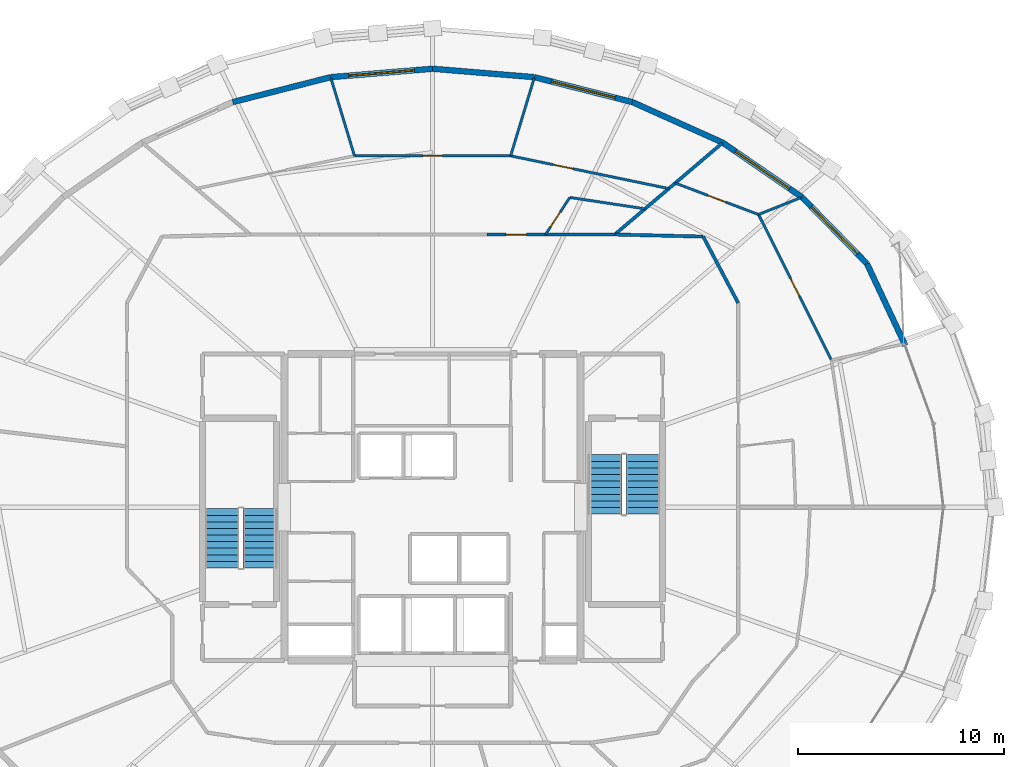
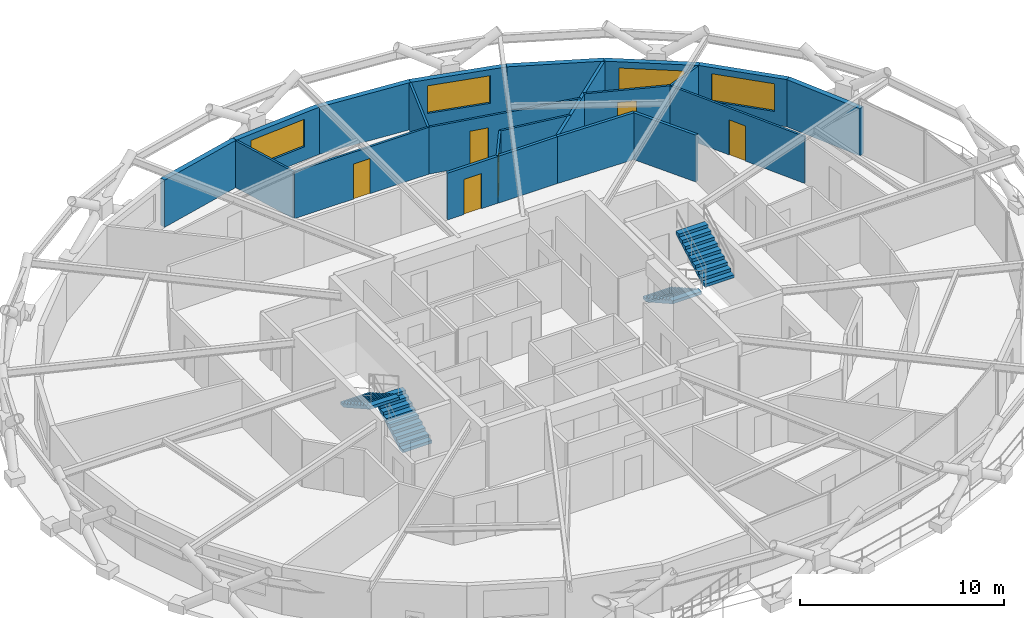
# One storey, part 15 of 16: 22 walls, 6 doors, 4 stair flights, 4 windows, 10 openings, 2 elements without a shape of their own.
"""IFC4 building model written with IfcOpenShell, lengths in metres."""

from ifc_helpers import new_model, si_unit, direction, frame, frame_2d, origin, place, context, subcontext, project, spatial, polyline, rectangle, outline, extrude, material, layer, layer_set, type_object, element, fill, aggregate, save


model = new_model("IFC4")

# Units and contexts
model_context = context("Model", 3, precision=1e-05, world=origin(), true_north=direction((0.0, 1.0)))
body_context = subcontext(model_context, "Body", "Model", "MODEL_VIEW")
ifc_project = project(units=[si_unit("LENGTHUNIT", "METRE"), si_unit("AREAUNIT", "SQUARE_METRE"), si_unit("VOLUMEUNIT", "CUBIC_METRE"), si_unit("PLANEANGLEUNIT", "RADIAN"), si_unit("MASSUNIT", "GRAM", prefix="KILO")], contexts=[model_context])

# Site, building, storey
site_placement = place(None, origin())
site = spatial("IfcSite", under=ifc_project, at=site_placement, CompositionType="ELEMENT")
building_placement = place(site_placement, origin())
building = spatial("IfcBuilding", under=site, at=building_placement, Name="Veldorina Hangang Commons", CompositionType="ELEMENT")
storey_placement = place(building_placement, frame((0.0, 0.0, 185.60009765625)))
storey = spatial("IfcBuildingStorey", under=building, at=storey_placement, Name="L48", CompositionType="ELEMENT", Elevation=185.60009765625)

# Wall
ifc_material_1 = material(Name="Stone Roman Travertine", Category="masonry")
ifc_layer_1 = layer(ifc_material_1, 0.280029296875)
ifc_layer_set_1 = layer_set([ifc_layer_1], Name="Stone Roman Travertine")
wall_type_1 = type_object("IfcWallType", Name="EW-TRAV-280", PredefinedType="STANDARD", material=ifc_layer_set_1)
wall_1_placement = place(storey_placement, frame((54.972900390625, 31.85498046875, 0.0), z_axis=(0.0, 0.0, 1.0), x_axis=(-0.42470841279, 0.905330196175, 0.0)))
element("IfcWall", 1, at=wall_1_placement, inside=storey, type_object=wall_type_1, Name="L48 travertine facade wall 02", PredefinedType="STANDARD", context=body_context, shape_type="SweptSolid", body=[
    extrude(rectangle(XDim=4.39697265625, YDim=0.280029296875, at=frame_2d((2.198486328125, 0.0))), origin(), (0.0, 0.0, 1.0), 2.81982421875),
])

# Wall, opening, window
wall_2_placement = place(storey_placement, frame((53.10546875, 35.835693359375, 0.0), z_axis=(0.0, 0.0, 1.0), x_axis=(-0.699140974596, 0.714983844322, 0.0)))
wall_2 = element("IfcWall", 2, at=wall_2_placement, inside=storey, type_object=wall_type_1, Name="L48 travertine facade wall 03", PredefinedType="STANDARD", context=body_context, shape_type="SweptSolid", body=[
    extrude(rectangle(XDim=4.51513671875, YDim=0.280029296875, at=frame_2d((2.257568359375, 0.0))), origin(), (0.0, 0.0, 1.0), 2.81982421875),
])
opening_1_placement = place(wall_2_placement, frame((0.65771484375, 0.0, 0.800048828125)))
opening_1 = element("IfcOpeningElement", 3, at=opening_1_placement, cuts=wall_2, Name="Opening W-01", PredefinedType="OPENING", context=body_context, shape_type="SweptSolid", body=[
    extrude(rectangle(XDim=3.199951171875, YDim=1.64990234375, at=frame_2d((1.60009765625, 0.824951171875))), frame((0.0, 0.14990234375, 0.0), z_axis=(0.0, -1.0, 0.0), x_axis=(1.0, 0.0, 0.0)), (0.0, 0.0, 1.0), 0.300048828125),
])
ifc_material_2 = material(Name="Glass Low-E Triple IGU", Category="glass")
window_type = type_object("IfcWindowType", Name="WIN-TWR-3200", PartitioningType="SINGLE_PANEL", PredefinedType="WINDOW", material=ifc_material_2)
window_1_placement = place(opening_1_placement, origin())
window_1 = element("IfcWindow", 4, at=window_1_placement, inside=storey, type_object=window_type, Name="L48 facade window 03", OverallHeight=1.64990234375, OverallWidth=3.199951171875, PartitioningType="SINGLE_PANEL", PredefinedType="WINDOW", context=body_context, shape_type="SweptSolid", body=[
    extrude(rectangle(XDim=3.199951171875, YDim=1.64990234375, at=frame_2d((1.60009765625, 0.824951171875))), frame((0.0, 0.030029296875, 0.0), z_axis=(0.0, -1.0, 0.0), x_axis=(1.0, 0.0, 0.0)), (0.0, 0.0, 1.0), 0.06005859375),
])
fill(opening_1, window_1)

wall_3_placement = place(storey_placement, frame((49.94873046875, 39.06396484375, 0.0), z_axis=(0.0, 0.0, 1.0), x_axis=(-0.823542873284, 0.567254031157, 0.0)))
wall_3 = element("IfcWall", 5, at=wall_3_placement, inside=storey, type_object=wall_type_1, Name="L48 travertine facade wall 04", PredefinedType="STANDARD", context=body_context, shape_type="SweptSolid", body=[
    extrude(rectangle(XDim=4.670654296875, YDim=0.280029296875, at=frame_2d((2.33544921875, 0.0))), origin(), (0.0, 0.0, 1.0), 2.81982421875),
])
opening_2_placement = place(wall_3_placement, frame((0.7353515625, 0.0, 0.800048828125)))
opening_2 = element("IfcOpeningElement", 6, at=opening_2_placement, cuts=wall_3, Name="Opening W-01", PredefinedType="OPENING", context=body_context, shape_type="SweptSolid", body=[
    extrude(rectangle(XDim=3.199951171875, YDim=1.64990234375, at=frame_2d((1.60009765625, 0.824951171875))), frame((0.0, 0.14990234375, 0.0), z_axis=(0.0, -1.0, 0.0), x_axis=(1.0, 0.0, 0.0)), (0.0, 0.0, 1.0), 0.300048828125),
])
window_2_placement = place(opening_2_placement, origin())
window_2 = element("IfcWindow", 7, at=window_2_placement, inside=storey, type_object=window_type, Name="L48 facade window 04", OverallHeight=1.64990234375, OverallWidth=3.199951171875, PartitioningType="SINGLE_PANEL", PredefinedType="WINDOW", context=body_context, shape_type="SweptSolid", body=[
    extrude(rectangle(XDim=3.199951171875, YDim=1.64990234375, at=frame_2d((1.60009765625, 0.824951171875))), frame((0.0, 0.030029296875, 0.0), z_axis=(0.0, -1.0, 0.0), x_axis=(1.0, 0.0, 0.0)), (0.0, 0.0, 1.0), 0.06005859375),
])
fill(opening_2, window_2)

# Wall
wall_4_placement = place(storey_placement, frame((46.102294921875, 41.71337890625, 0.0), z_axis=(0.0, 0.0, 1.0), x_axis=(-0.91240998906, 0.409277426525, 0.0)))
element("IfcWall", 8, at=wall_4_placement, inside=storey, type_object=wall_type_1, Name="L48 travertine facade wall 05", PredefinedType="STANDARD", context=body_context, shape_type="SweptSolid", body=[
    extrude(rectangle(XDim=4.809814453125, YDim=0.280029296875, at=frame_2d((2.40478515625, 0.0))), origin(), (0.0, 0.0, 1.0), 2.81982421875),
])

# Wall, opening, window
wall_5_placement = place(storey_placement, frame((41.7138671875, 43.681884765625, 0.0), z_axis=(0.0, 0.0, 1.0), x_axis=(-0.969081190832, 0.246742062842, 0.0)))
wall_5 = element("IfcWall", 9, at=wall_5_placement, inside=storey, type_object=wall_type_1, Name="L48 travertine facade wall 06", PredefinedType="STANDARD", context=body_context, shape_type="SweptSolid", body=[
    extrude(rectangle(XDim=4.91357421875, YDim=0.280029296875, at=frame_2d((2.456787109375, 0.0))), origin(), (0.0, 0.0, 1.0), 2.81982421875),
])
opening_3_placement = place(wall_5_placement, frame((0.856689453125, 0.0, 0.800048828125)))
opening_3 = element("IfcOpeningElement", 10, at=opening_3_placement, cuts=wall_5, Name="Opening W-01", PredefinedType="OPENING", context=body_context, shape_type="SweptSolid", body=[
    extrude(rectangle(XDim=3.199951171875, YDim=1.64990234375, at=frame_2d((1.60009765625, 0.824951171875))), frame((0.0, 0.14990234375, 0.0), z_axis=(0.0, -1.0, 0.0), x_axis=(1.0, 0.0, 0.0)), (0.0, 0.0, 1.0), 0.300048828125),
])
window_3_placement = place(opening_3_placement, origin())
window_3 = element("IfcWindow", 11, at=window_3_placement, inside=storey, type_object=window_type, Name="L48 facade window 06", OverallHeight=1.64990234375, OverallWidth=3.199951171875, PartitioningType="SINGLE_PANEL", PredefinedType="WINDOW", context=body_context, shape_type="SweptSolid", body=[
    extrude(rectangle(XDim=3.199951171875, YDim=1.64990234375, at=frame_2d((1.60009765625, 0.824951171875))), frame((0.0, 0.030029296875, 0.0), z_axis=(0.0, -1.0, 0.0), x_axis=(1.0, 0.0, 0.0)), (0.0, 0.0, 1.0), 0.06005859375),
])
fill(opening_3, window_3)

# Wall
wall_6_placement = place(storey_placement, frame((36.9521484375, 44.894287109375, 0.0), z_axis=(0.0, 0.0, 1.0), x_axis=(-0.996599760846, 0.082394882614, 0.0)))
element("IfcWall", 12, at=wall_6_placement, inside=storey, type_object=wall_type_1, Name="L48 travertine facade wall 07", PredefinedType="STANDARD", context=body_context, shape_type="SweptSolid", body=[
    extrude(rectangle(XDim=4.968994140625, YDim=0.280029296875, at=frame_2d((2.484375, 0.0))), origin(), (0.0, 0.0, 1.0), 2.81982421875),
])

# Wall, opening, window
wall_7_placement = place(storey_placement, frame((32.0, 45.3037109375, 0.0), z_axis=(0.0, 0.0, 1.0), x_axis=(-0.996599760846, -0.082394882614, 0.0)))
wall_7 = element("IfcWall", 13, at=wall_7_placement, inside=storey, type_object=wall_type_1, Name="L48 travertine facade wall 08", PredefinedType="STANDARD", context=body_context, shape_type="SweptSolid", body=[
    extrude(rectangle(XDim=4.968994140625, YDim=0.280029296875, at=frame_2d((2.484375, 0.0))), origin(), (0.0, 0.0, 1.0), 2.81982421875),
])
opening_4_placement = place(wall_7_placement, frame((0.884521484375, 0.0, 0.800048828125)))
opening_4 = element("IfcOpeningElement", 14, at=opening_4_placement, cuts=wall_7, Name="Opening W-01", PredefinedType="OPENING", context=body_context, shape_type="SweptSolid", body=[
    extrude(rectangle(XDim=3.199951171875, YDim=1.64990234375, at=frame_2d((1.60009765625, 0.824951171875))), frame((0.0, 0.14990234375, 0.0), z_axis=(0.0, -1.0, 0.0), x_axis=(1.0, 0.0, 0.0)), (0.0, 0.0, 1.0), 0.300048828125),
])
window_4_placement = place(opening_4_placement, origin())
window_4 = element("IfcWindow", 15, at=window_4_placement, inside=storey, type_object=window_type, Name="L48 facade window 08", OverallHeight=1.64990234375, OverallWidth=3.199951171875, PartitioningType="SINGLE_PANEL", PredefinedType="WINDOW", context=body_context, shape_type="SweptSolid", body=[
    extrude(rectangle(XDim=3.199951171875, YDim=1.64990234375, at=frame_2d((1.60009765625, 0.824951171875))), frame((0.0, 0.030029296875, 0.0), z_axis=(0.0, -1.0, 0.0), x_axis=(1.0, 0.0, 0.0)), (0.0, 0.0, 1.0), 0.06005859375),
])
fill(opening_4, window_4)

# Walls
wall_8_placement = place(storey_placement, frame((27.0478515625, 44.894287109375, 0.0), z_axis=(0.0, 0.0, 1.0), x_axis=(-0.969081190832, -0.246742062842, 0.0)))
element("IfcWall", 16, at=wall_8_placement, inside=storey, type_object=wall_type_1, Name="L48 travertine facade wall 09", PredefinedType="STANDARD", context=body_context, shape_type="SweptSolid", body=[
    extrude(rectangle(XDim=4.91357421875, YDim=0.280029296875, at=frame_2d((2.456787109375, 0.0))), origin(), (0.0, 0.0, 1.0), 2.81982421875),
])
ifc_material_3 = material(Name="Gypsum Fire-Rated Twin Stud Wall", Category="gypsum")
ifc_layer_2 = layer(ifc_material_3, 0.159912109375)
ifc_layer_set_2 = layer_set([ifc_layer_2], Name="Gypsum Fire-Rated Twin Stud Wall")
wall_type_2 = type_object("IfcWallType", Name="WL-FIRE-160", PredefinedType="SOLIDWALL", material=ifc_layer_set_2)
wall_9_placement = place(storey_placement, frame((46.85009765625, 33.922607421875, 0.0), z_axis=(0.0, 0.0, 1.0), x_axis=(-0.466093963429, 0.884735224378, 0.0)))
element("IfcWall", 17, at=wall_9_placement, inside=storey, type_object=wall_type_2, Name="L48 U-corridor outer wall 03 051", PredefinedType="SOLIDWALL", context=body_context, shape_type="SweptSolid", body=[
    extrude(rectangle(XDim=3.647705078125, YDim=0.159912109375, at=frame_2d((1.82373046875, 0.0))), origin(), (0.0, 0.0, 1.0), 2.7998046875),
])
wall_10_placement = place(storey_placement, frame((45.14990234375, 37.14990234375, 0.0), z_axis=(0.0, 0.0, 1.0), x_axis=(-0.999728709658, 0.023291781507, 0.0)))
element("IfcWall", 18, at=wall_10_placement, inside=storey, type_object=wall_type_2, Name="L48 U-corridor outer wall 04 052", PredefinedType="SOLIDWALL", context=body_context, shape_type="SweptSolid", body=[
    extrude(rectangle(XDim=4.297607421875, YDim=0.159912109375, at=frame_2d((2.14892578125, 0.0))), origin(), (0.0, 0.0, 1.0), 2.7998046875),
])
wall_11_placement = place(storey_placement, frame((40.853515625, 37.25, 0.0), z_axis=(0.0, 0.0, 1.0), x_axis=(-1.0, 0.0, 0.0)))
element("IfcWall", 19, at=wall_11_placement, inside=storey, type_object=wall_type_2, Name="L48 U-corridor outer wall 05 053", PredefinedType="SOLIDWALL", context=body_context, shape_type="SweptSolid", body=[
    extrude(rectangle(XDim=3.365234375, YDim=0.159912109375, at=frame_2d((1.6826171875, 0.0))), origin(), (0.0, 0.0, 1.0), 2.7998046875),
])

# Wall, opening, door
wall_12_placement = place(storey_placement, frame((37.48828125, 37.25, 0.0), z_axis=(0.0, 0.0, 1.0), x_axis=(-1.0, 0.0, 0.0)))
wall_12 = element("IfcWall", 20, at=wall_12_placement, inside=storey, type_object=wall_type_2, Name="L48 U-corridor outer wall 06 054", PredefinedType="SOLIDWALL", context=body_context, shape_type="SweptSolid", body=[
    extrude(rectangle(XDim=2.852783203125, YDim=0.159912109375, at=frame_2d((1.42626953125, 0.0))), origin(), (0.0, 0.0, 1.0), 2.7998046875),
])
opening_5_placement = place(wall_12_placement, frame((0.926513671875, 0.0, 0.0)))
opening_5 = element("IfcOpeningElement", 21, at=opening_5_placement, cuts=wall_12, Name="Opening D-06", PredefinedType="OPENING", context=body_context, shape_type="SweptSolid", body=[
    extrude(rectangle(XDim=1.0, YDim=2.10009765625, at=frame_2d((0.5, 1.050048828125))), frame((0.0, 0.08984375, 0.0), z_axis=(0.0, -1.0, 0.0), x_axis=(1.0, 0.0, 0.0)), (0.0, 0.0, 1.0), 0.179931640625),
])
ifc_material_4 = material(Name="Timber Fire-Rated Entrance Core", Category="wood")
door_type_1 = type_object("IfcDoorType", Name="DR-UNIT-1000", OperationType="SINGLE_SWING_LEFT", PredefinedType="DOOR", material=ifc_material_4)
door_1_placement = place(opening_5_placement, origin())
door_1 = element("IfcDoor", 22, at=door_1_placement, inside=storey, type_object=door_type_1, Name="L48 Cluster 3 entrance door 028", OperationType="SINGLE_SWING_RIGHT", OverallHeight=2.10009765625, OverallWidth=1.0, PredefinedType="DOOR", context=body_context, shape_type="SweptSolid", body=[
    extrude(rectangle(XDim=1.0, YDim=2.10009765625, at=frame_2d((0.5, 1.050048828125))), frame((0.0, 0.02490234375, 0.0), z_axis=(0.0, -1.0, 0.0), x_axis=(1.0, 0.0, 0.0)), (0.0, 0.0, 1.0), 0.050048828125),
])
fill(opening_5, door_1)

# Wall
wall_13_placement = place(storey_placement, frame((40.853515625, 37.25, 0.0), z_axis=(0.0, 0.0, 1.0), x_axis=(0.761808080293, 0.647802785421, 0.0)))
element("IfcWall", 23, at=wall_13_placement, inside=storey, type_object=wall_type_2, Name="L48 Unit party wall 05 094", PredefinedType="SOLIDWALL", context=body_context, shape_type="SweptSolid", body=[
    extrude(rectangle(XDim=6.83984375, YDim=0.159912109375, at=frame_2d((3.419921875, 0.0))), origin(), (0.0, 0.0, 1.0), 2.7998046875),
])

# Wall, opening, door
ifc_material_5 = material(Name="Gypsum Acoustic Stud Partition", Category="gypsum")
ifc_layer_3 = layer(ifc_material_5, 0.1201171875)
ifc_layer_set_3 = layer_set([ifc_layer_3], Name="Gypsum Acoustic Stud Partition")
wall_type_3 = type_object("IfcWallType", Name="WL-PART-120", PredefinedType="PARTITIONING", material=ifc_layer_set_3)
wall_14_placement = place(storey_placement, frame((51.376953125, 31.15185546875, 0.0), z_axis=(0.0, 0.0, 1.0), x_axis=(-0.447682893835, 0.894192387894, 0.0)))
wall_14 = element("IfcWall", 24, at=wall_14_placement, inside=storey, type_object=wall_type_3, Name="L48 Cluster 2 bed 2 front wall 090", PredefinedType="PARTITIONING", context=body_context, shape_type="SweptSolid", body=[
    extrude(rectangle(XDim=7.906494140625, YDim=0.1201171875, at=frame_2d((3.953125, 0.0))), origin(), (0.0, 0.0, 1.0), 2.7998046875),
])
opening_6_placement = place(wall_14_placement, frame((3.478271484375, 0.0, 0.0)))
opening_6 = element("IfcOpeningElement", 25, at=opening_6_placement, cuts=wall_14, Name="Opening D-02", PredefinedType="OPENING", context=body_context, shape_type="SweptSolid", body=[
    extrude(rectangle(XDim=0.949951171875, YDim=2.10009765625, at=frame_2d((0.47509765625, 1.050048828125))), frame((0.0, 0.070068359375, 0.0), z_axis=(0.0, -1.0, 0.0), x_axis=(1.0, 0.0, 0.0)), (0.0, 0.0, 1.0), 0.14013671875),
])
ifc_material_6 = material(Name="Timber Solid Core Acoustic", Category="wood")
door_type_2 = type_object("IfcDoorType", Name="DR-INT-950", OperationType="SINGLE_SWING_LEFT", PredefinedType="DOOR", material=ifc_material_6)
door_2_placement = place(opening_6_placement, origin())
door_2 = element("IfcDoor", 26, at=door_2_placement, inside=storey, type_object=door_type_2, Name="L48 Cluster 2 bed 2 door 025", OperationType="SINGLE_SWING_LEFT", OverallHeight=2.10009765625, OverallWidth=0.949951171875, PredefinedType="DOOR", context=body_context, shape_type="SweptSolid", body=[
    extrude(rectangle(XDim=0.949951171875, YDim=2.10009765625, at=frame_2d((0.47509765625, 1.050048828125))), frame((0.0, 0.02490234375, 0.0), z_axis=(0.0, -1.0, 0.0), x_axis=(1.0, 0.0, 0.0)), (0.0, 0.0, 1.0), 0.050048828125),
])
fill(opening_6, door_2)

wall_15_placement = place(storey_placement, frame((47.83740234375, 38.2216796875, 0.0), z_axis=(0.0, 0.0, 1.0), x_axis=(-0.935484123415, 0.353368723627, 0.0)))
wall_15 = element("IfcWall", 27, at=wall_15_placement, inside=storey, type_object=wall_type_3, Name="L48 Cluster 2 bed 3 front wall 092", PredefinedType="PARTITIONING", context=body_context, shape_type="SweptSolid", body=[
    extrude(rectangle(XDim=4.32373046875, YDim=0.1201171875, at=frame_2d((2.161865234375, 0.0))), origin(), (0.0, 0.0, 1.0), 2.7998046875),
])
opening_7_placement = place(wall_15_placement, frame((1.686767578125, 0.0, 0.0)))
opening_7 = element("IfcOpeningElement", 28, at=opening_7_placement, cuts=wall_15, Name="Opening D-02", PredefinedType="OPENING", context=body_context, shape_type="SweptSolid", body=[
    extrude(rectangle(XDim=0.949951171875, YDim=2.10009765625, at=frame_2d((0.47509765625, 1.050048828125))), frame((0.0, 0.070068359375, 0.0), z_axis=(0.0, -1.0, 0.0), x_axis=(1.0, 0.0, 0.0)), (0.0, 0.0, 1.0), 0.14013671875),
])
door_3_placement = place(opening_7_placement, origin())
door_3 = element("IfcDoor", 29, at=door_3_placement, inside=storey, type_object=door_type_2, Name="L48 Cluster 2 bed 3 door 026", OperationType="SINGLE_SWING_RIGHT", OverallHeight=2.10009765625, OverallWidth=0.949951171875, PredefinedType="DOOR", context=body_context, shape_type="SweptSolid", body=[
    extrude(rectangle(XDim=0.949951171875, YDim=2.10009765625, at=frame_2d((0.47509765625, 1.050048828125))), frame((0.0, 0.02490234375, 0.0), z_axis=(0.0, -1.0, 0.0), x_axis=(1.0, 0.0, 0.0)), (0.0, 0.0, 1.0), 0.050048828125),
])
fill(opening_7, door_3)

# Walls
wall_16_placement = place(storey_placement, frame((47.83740234375, 38.2216796875, 0.0), z_axis=(0.0, 0.0, 1.0), x_axis=(0.928824664531, 0.370519557594, 0.0)))
element("IfcWall", 30, at=wall_16_placement, inside=storey, type_object=wall_type_3, Name="L48 Cluster 2 bed divider 2 093", PredefinedType="PARTITIONING", context=body_context, shape_type="SweptSolid", body=[
    extrude(rectangle(XDim=2.22314453125, YDim=0.1201171875, at=frame_2d((1.111572265625, 0.0))), origin(), (0.0, 0.0, 1.0), 2.7998046875),
])
wall_17_placement = place(storey_placement, frame((42.322998046875, 38.499755859375, 0.0), z_axis=(0.0, 0.0, 1.0), x_axis=(-0.988795772928, 0.149274644332, 0.0)))
element("IfcWall", 31, at=wall_17_placement, inside=storey, type_object=wall_type_3, Name="L48 Cluster 3 bath front wall 095", PredefinedType="PARTITIONING", context=body_context, shape_type="SweptSolid", body=[
    extrude(rectangle(XDim=3.69287109375, YDim=0.1201171875, at=frame_2d((1.846435546875, 0.0))), origin(), (0.0, 0.0, 1.0), 2.7998046875),
])

# Wall, opening, door
wall_18_placement = place(storey_placement, frame((37.48828125, 37.25, 0.0), z_axis=(0.0, 0.0, 1.0), x_axis=(0.549039971379, 0.835796093451, 0.0)))
wall_18 = element("IfcWall", 32, at=wall_18_placement, inside=storey, type_object=wall_type_3, Name="L48 Cluster 3 bath side wall 096", PredefinedType="PARTITIONING", context=body_context, shape_type="SweptSolid", body=[
    extrude(rectangle(XDim=2.15478515625, YDim=0.1201171875, at=frame_2d((1.077392578125, 0.0))), origin(), (0.0, 0.0, 1.0), 2.7998046875),
])
opening_8_placement = place(wall_18_placement, frame((0.43994140625, 0.0, 0.0)))
opening_8 = element("IfcOpeningElement", 33, at=opening_8_placement, cuts=wall_18, Name="Opening D-01", PredefinedType="OPENING", context=body_context, shape_type="SweptSolid", body=[
    extrude(rectangle(XDim=0.860107421875, YDim=2.10009765625, at=frame_2d((0.43017578125, 1.050048828125))), frame((0.0, 0.070068359375, 0.0), z_axis=(0.0, -1.0, 0.0), x_axis=(1.0, 0.0, 0.0)), (0.0, 0.0, 1.0), 0.14013671875),
])
ifc_material_7 = material(Name="Timber Moisture-Resistant Core", Category="wood")
door_type_3 = type_object("IfcDoorType", Name="DR-WET-860", OperationType="SINGLE_SWING_LEFT", PredefinedType="DOOR", material=ifc_material_7)
door_4_placement = place(opening_8_placement, origin())
door_4 = element("IfcDoor", 34, at=door_4_placement, inside=storey, type_object=door_type_3, Name="L48 Cluster 3 shared bathroom door 027", OperationType="SINGLE_SWING_LEFT", OverallHeight=2.10009765625, OverallWidth=0.860107421875, PredefinedType="DOOR", context=body_context, shape_type="SweptSolid", body=[
    extrude(rectangle(XDim=0.860107421875, YDim=2.10009765625, at=frame_2d((0.43017578125, 1.050048828125))), frame((0.0, 0.02490234375, 0.0), z_axis=(0.0, -1.0, 0.0), x_axis=(1.0, 0.0, 0.0)), (0.0, 0.0, 1.0), 0.050048828125),
])
fill(opening_8, door_4)

wall_19_placement = place(storey_placement, frame((43.477783203125, 39.481689453125, 0.0), z_axis=(0.0, 0.0, 1.0), x_axis=(-0.979241044983, 0.202699225013, 0.0)))
wall_19 = element("IfcWall", 35, at=wall_19_placement, inside=storey, type_object=wall_type_3, Name="L48 Cluster 3 bed 1 front wall 097", PredefinedType="PARTITIONING", context=body_context, shape_type="SweptSolid", body=[
    extrude(rectangle(XDim=7.846923828125, YDim=0.1201171875, at=frame_2d((3.92333984375, 0.0))), origin(), (0.0, 0.0, 1.0), 2.7998046875),
])
opening_9_placement = place(wall_19_placement, frame((4.772216796875, 0.0, 0.0)))
opening_9 = element("IfcOpeningElement", 36, at=opening_9_placement, cuts=wall_19, Name="Opening D-02", PredefinedType="OPENING", context=body_context, shape_type="SweptSolid", body=[
    extrude(rectangle(XDim=0.949951171875, YDim=2.10009765625, at=frame_2d((0.47509765625, 1.050048828125))), frame((0.0, 0.070068359375, 0.0), z_axis=(0.0, -1.0, 0.0), x_axis=(1.0, 0.0, 0.0)), (0.0, 0.0, 1.0), 0.14013671875),
])
door_5_placement = place(opening_9_placement, origin())
door_5 = element("IfcDoor", 37, at=door_5_placement, inside=storey, type_object=door_type_2, Name="L48 Cluster 3 bed 1 door 029", OperationType="SINGLE_SWING_LEFT", OverallHeight=2.10009765625, OverallWidth=0.949951171875, PredefinedType="DOOR", context=body_context, shape_type="SweptSolid", body=[
    extrude(rectangle(XDim=0.949951171875, YDim=2.10009765625, at=frame_2d((0.47509765625, 1.050048828125))), frame((0.0, 0.02490234375, 0.0), z_axis=(0.0, -1.0, 0.0), x_axis=(1.0, 0.0, 0.0)), (0.0, 0.0, 1.0), 0.050048828125),
])
fill(opening_9, door_5)

wall_20_placement = place(storey_placement, frame((35.793701171875, 41.072265625, 0.0), z_axis=(0.0, 0.0, 1.0), x_axis=(-1.0, 0.0, 0.0)))
wall_20 = element("IfcWall", 38, at=wall_20_placement, inside=storey, type_object=wall_type_3, Name="L48 Cluster 3 bed 2 front wall 098", PredefinedType="PARTITIONING", context=body_context, shape_type="SweptSolid", body=[
    extrude(rectangle(XDim=7.58740234375, YDim=0.1201171875, at=frame_2d((3.793701171875, 0.0))), origin(), (0.0, 0.0, 1.0), 2.7998046875),
])
opening_10_placement = place(wall_20_placement, frame((3.31884765625, 0.0, 0.0)))
opening_10 = element("IfcOpeningElement", 39, at=opening_10_placement, cuts=wall_20, Name="Opening D-02", PredefinedType="OPENING", context=body_context, shape_type="SweptSolid", body=[
    extrude(rectangle(XDim=0.949951171875, YDim=2.10009765625, at=frame_2d((0.47509765625, 1.050048828125))), frame((0.0, 0.070068359375, 0.0), z_axis=(0.0, -1.0, 0.0), x_axis=(1.0, 0.0, 0.0)), (0.0, 0.0, 1.0), 0.14013671875),
])
door_6_placement = place(opening_10_placement, origin())
door_6 = element("IfcDoor", 40, at=door_6_placement, inside=storey, type_object=door_type_2, Name="L48 Cluster 3 bed 2 door 030", OperationType="SINGLE_SWING_RIGHT", OverallHeight=2.10009765625, OverallWidth=0.949951171875, PredefinedType="DOOR", context=body_context, shape_type="SweptSolid", body=[
    extrude(rectangle(XDim=0.949951171875, YDim=2.10009765625, at=frame_2d((0.47509765625, 1.050048828125))), frame((0.0, 0.02490234375, 0.0), z_axis=(0.0, -1.0, 0.0), x_axis=(1.0, 0.0, 0.0)), (0.0, 0.0, 1.0), 0.050048828125),
])
fill(opening_10, door_6)

# Walls
for number, where, z_axis, x_axis, name in (
    (41, (35.793701171875, 41.072265625, 0.0), (0.0, 0.0, 1.0), (0.290033167967, 0.95701659415, 0.0), "L48 Cluster 3 bed divider 1 099"),
    (42, (28.206298828125, 41.072265625, 0.0), (0.0, 0.0, 1.0), (-0.290033167967, 0.95701659415, 0.0), "L48 Cluster 3 bed divider 2 101"),
):
    element("IfcWall", number, at=place(storey_placement, frame(where, z_axis=z_axis, x_axis=x_axis)), inside=storey, type_object=wall_type_3, Name=name, PredefinedType="PARTITIONING", context=body_context, shape_type="SweptSolid", body=[
        extrude(rectangle(XDim=3.943603515625, YDim=0.1201171875, at=frame_2d((1.9716796875, 0.0))), origin(), (0.0, 0.0, 1.0), 2.7998046875),
    ])

# Stair, stair flights
ifc_material_8 = material(Name="Concrete C40/50", Category="concrete")
stair_type = type_object("IfcStairType", Name="STR-DOG-1650-20R", PredefinedType="HALF_TURN_STAIR", material=ifc_material_8)
stair_1_placement = place(storey_placement, origin())
stair_1 = element("IfcStair", 43, at=stair_1_placement, inside=storey, type_object=stair_type, Name="L48 Exit stair ST-1", PredefinedType="HALF_TURN_STAIR")
stair_flight_type = type_object("IfcStairFlightType", Name="SFL-STR-1650-20R", PredefinedType="STRAIGHT", material=ifc_material_8)
stair_flight_1_placement = place(storey_placement, frame((23.625, 21.050048828125, 0.0), z_axis=(0.0, 0.0, 1.0), x_axis=(0.0, 1.0, 0.0)))
stair_flight_1 = element("IfcStairFlight", 44, at=stair_flight_1_placement, type_object=stair_flight_type, Name="ST-1 flight 1", NumberOfRisers=10, NumberOfTreads=9, PredefinedType="STRAIGHT", RiserHeight=0.18, TreadLength=0.32, context=body_context, shape_type="SweptSolid", body=[
    extrude(outline(polyline([(0.0, 0.0), (0.0, 0.179931640625), (0.320068359375, 0.179931640625), (0.320068359375, 0.360107421875), (0.639892578125, 0.360107421875), (0.639892578125, 0.5400390625), (0.9599609375, 0.5400390625), (0.9599609375, 0.719970703125), (1.280029296875, 0.719970703125), (1.280029296875, 0.89990234375), (1.60009765625, 0.89990234375), (1.60009765625, 1.080078125), (1.919921875, 1.080078125), (1.919921875, 1.260009765625), (2.239990234375, 1.260009765625), (2.239990234375, 1.43994140625), (2.56005859375, 1.43994140625), (2.56005859375, 1.6201171875), (2.8798828125, 1.6201171875), (2.8798828125, 1.800048828125), (2.8798828125, 1.447998046875), (0.3056640625, 0.0), (0.0, 0.0)])), frame((0.0, 0.824951171875, 0.0), z_axis=(0.0, -1.0, 0.0), x_axis=(1.0, 0.0, 0.0)), (0.0, 0.0, 1.0), 1.64990234375),
])
stair_flight_2_placement = place(storey_placement, frame((21.77490234375, 23.929931640625, 1.7998046875), z_axis=(0.0, 0.0, 1.0), x_axis=(0.0, -1.0, 0.0)))
stair_flight_2 = element("IfcStairFlight", 45, at=stair_flight_2_placement, type_object=stair_flight_type, Name="ST-1 flight 2", NumberOfRisers=10, NumberOfTreads=9, PredefinedType="STRAIGHT", RiserHeight=0.18, TreadLength=0.32, context=body_context, shape_type="SweptSolid", body=[
    extrude(outline(polyline([(0.0, 0.0), (0.0, 0.179931640625), (0.320068359375, 0.179931640625), (0.320068359375, 0.360107421875), (0.639892578125, 0.360107421875), (0.639892578125, 0.5400390625), (0.9599609375, 0.5400390625), (0.9599609375, 0.719970703125), (1.280029296875, 0.719970703125), (1.280029296875, 0.89990234375), (1.60009765625, 0.89990234375), (1.60009765625, 1.080078125), (1.919921875, 1.080078125), (1.919921875, 1.260009765625), (2.239990234375, 1.260009765625), (2.239990234375, 1.43994140625), (2.56005859375, 1.43994140625), (2.56005859375, 1.6201171875), (2.8798828125, 1.6201171875), (2.8798828125, 1.800048828125), (2.8798828125, 1.447998046875), (0.3056640625, 0.0), (0.0, 0.0)])), frame((0.0, 0.824951171875, 0.0), z_axis=(0.0, -1.0, 0.0), x_axis=(1.0, 0.0, 0.0)), (0.0, 0.0, 1.0), 1.64990234375),
])
aggregate(stair_1, [stair_flight_1, stair_flight_2])

stair_2_placement = place(storey_placement, origin())
stair_2 = element("IfcStair", 46, at=stair_2_placement, inside=storey, type_object=stair_type, Name="L48 Exit stair ST-2", PredefinedType="HALF_TURN_STAIR")
stair_flight_3_placement = place(storey_placement, frame((40.375, 26.550048828125, 0.0), z_axis=(0.0, 0.0, 1.0), x_axis=(0.0, -1.0, 0.0)))
stair_flight_3 = element("IfcStairFlight", 47, at=stair_flight_3_placement, type_object=stair_flight_type, Name="ST-2 flight 1", NumberOfRisers=10, NumberOfTreads=9, PredefinedType="STRAIGHT", RiserHeight=0.18, TreadLength=0.32, context=body_context, shape_type="SweptSolid", body=[
    extrude(outline(polyline([(0.0, 0.0), (0.0, 0.179931640625), (0.320068359375, 0.179931640625), (0.320068359375, 0.360107421875), (0.639892578125, 0.360107421875), (0.639892578125, 0.5400390625), (0.9599609375, 0.5400390625), (0.9599609375, 0.719970703125), (1.280029296875, 0.719970703125), (1.280029296875, 0.89990234375), (1.60009765625, 0.89990234375), (1.60009765625, 1.080078125), (1.919921875, 1.080078125), (1.919921875, 1.260009765625), (2.239990234375, 1.260009765625), (2.239990234375, 1.43994140625), (2.56005859375, 1.43994140625), (2.56005859375, 1.6201171875), (2.8798828125, 1.6201171875), (2.8798828125, 1.800048828125), (2.8798828125, 1.447998046875), (0.3056640625, 0.0), (0.0, 0.0)])), frame((0.0, 0.824951171875, 0.0), z_axis=(0.0, -1.0, 0.0), x_axis=(1.0, 0.0, 0.0)), (0.0, 0.0, 1.0), 1.64990234375),
])
stair_flight_4_placement = place(storey_placement, frame((42.22509765625, 23.669921875, 1.7998046875), z_axis=(0.0, 0.0, 1.0), x_axis=(0.0, 1.0, 0.0)))
stair_flight_4 = element("IfcStairFlight", 48, at=stair_flight_4_placement, type_object=stair_flight_type, Name="ST-2 flight 2", NumberOfRisers=10, NumberOfTreads=9, PredefinedType="STRAIGHT", RiserHeight=0.18, TreadLength=0.32, context=body_context, shape_type="SweptSolid", body=[
    extrude(outline(polyline([(0.0, 0.0), (0.0, 0.179931640625), (0.320068359375, 0.179931640625), (0.320068359375, 0.360107421875), (0.639892578125, 0.360107421875), (0.639892578125, 0.5400390625), (0.9599609375, 0.5400390625), (0.9599609375, 0.719970703125), (1.280029296875, 0.719970703125), (1.280029296875, 0.89990234375), (1.60009765625, 0.89990234375), (1.60009765625, 1.080078125), (1.919921875, 1.080078125), (1.919921875, 1.260009765625), (2.239990234375, 1.260009765625), (2.239990234375, 1.43994140625), (2.56005859375, 1.43994140625), (2.56005859375, 1.6201171875), (2.8798828125, 1.6201171875), (2.8798828125, 1.800048828125), (2.8798828125, 1.447998046875), (0.3056640625, 0.0), (0.0, 0.0)])), frame((0.0, 0.824951171875, 0.0), z_axis=(0.0, -1.0, 0.0), x_axis=(1.0, 0.0, 0.0)), (0.0, 0.0, 1.0), 1.64990234375),
])
aggregate(stair_2, [stair_flight_3, stair_flight_4])

save(model, "model.ifc")
